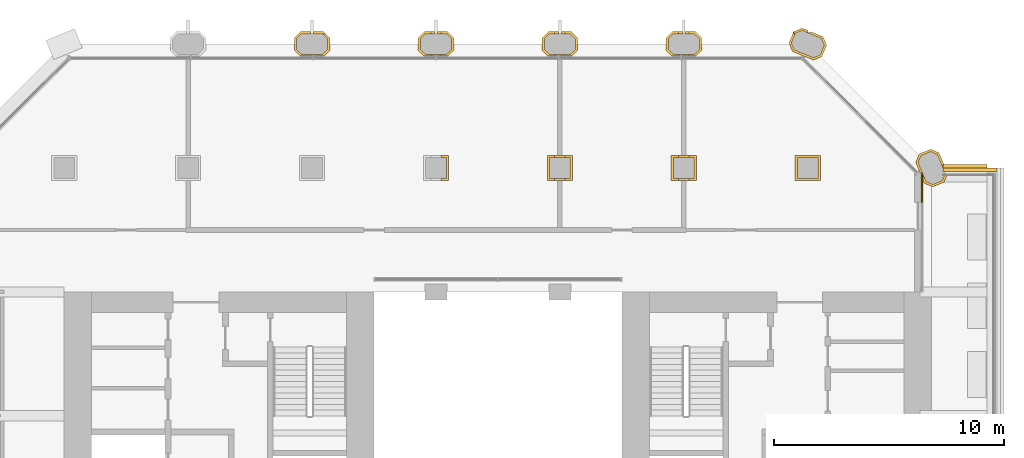
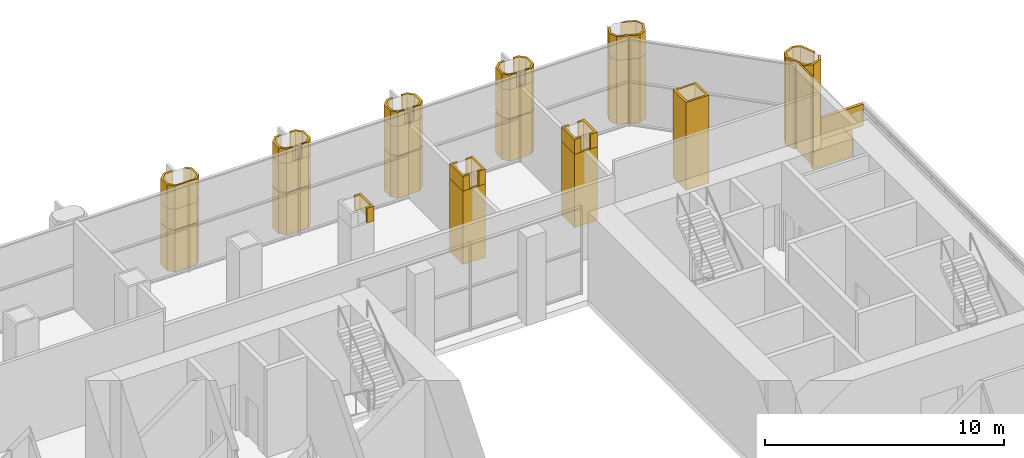
# One storey, part 15 of 15: 29 coverings.
"""IFC4 building model written with IfcOpenShell, lengths in metres."""

from ifc_helpers import new_model, si_unit, direction, frame, frame_2d, origin, place, context, subcontext, project, spatial, polyline, rectangle, outline, extrude, material, layer, layer_set, type_object, element, save


model = new_model("IFC4")

# Units and contexts
model_context = context("Model", 3, precision=1e-05, world=origin(), true_north=direction((0.0, 1.0)))
body_context = subcontext(model_context, "Body", "Model", "MODEL_VIEW")
ifc_project = project(units=[si_unit("LENGTHUNIT", "METRE"), si_unit("AREAUNIT", "SQUARE_METRE"), si_unit("VOLUMEUNIT", "CUBIC_METRE"), si_unit("PLANEANGLEUNIT", "RADIAN"), si_unit("MASSUNIT", "GRAM", prefix="KILO")], contexts=[model_context])

# Site, building, storey
site_placement = place(None, origin())
site = spatial("IfcSite", under=ifc_project, at=site_placement, CompositionType="ELEMENT")
building_placement = place(site_placement, origin())
building = spatial("IfcBuilding", under=site, at=building_placement, Name="Tabaq Tower and Sports Hall", CompositionType="ELEMENT")
storey_placement = place(building_placement, frame((0.0, 0.0, 143.199951171875)))
storey = spatial("IfcBuildingStorey", under=building, at=storey_placement, Name="L33", CompositionType="ELEMENT", Elevation=143.199951171875)

# Coverings
ifc_material_1 = material(Name="Precast concrete C60/75", Category="concrete")
ifc_layer_1 = layer(ifc_material_1, 0.10009765625)
ifc_layer_set_1 = layer_set([ifc_layer_1], Name="Column cladding 100")
covering_type_1 = type_object("IfcCoveringType", Name="Column cladding 100", PredefinedType="CLADDING", material=ifc_layer_set_1)
covering_1_placement = place(storey_placement, frame((0.0, 0.0, 0.10009765625)))
element("IfcCovering", 1, at=covering_1_placement, inside=storey, type_object=covering_type_1, Name="Column cladding L33 PC-4I-S1", PredefinedType="CLADDING", context=body_context, shape_type="SweptSolid", body=[
    extrude(outline(polyline([(15.42529296875, 43.46630859375), (15.708740234375, 43.749755859375), (16.1396484375, 43.749755859375), (16.1396484375, 43.650390625), (15.749755859375, 43.650390625), (15.524658203125, 43.425048828125), (15.524658203125, 42.974853515625), (15.749755859375, 42.749755859375), (16.650146484375, 42.749755859375), (16.875244140625, 42.974853515625), (16.875244140625, 43.425048828125), (16.650146484375, 43.650390625), (16.26025390625, 43.650390625), (16.26025390625, 43.749755859375), (16.69140625, 43.749755859375), (16.974609375, 43.46630859375), (16.974609375, 42.93359375), (16.731201171875, 42.690185546875), (15.668701171875, 42.690185546875), (15.42529296875, 42.93359375), (15.42529296875, 43.46630859375)])), origin(), (0.0, 0.0, 1.0), 2.119873046875),
])
covering_2_placement = place(storey_placement, frame((0.0, 0.0, 2.280029296875)))
element("IfcCovering", 2, at=covering_2_placement, inside=storey, type_object=covering_type_1, Name="Column cladding L33 PC-4I-S1 2", PredefinedType="CLADDING", context=body_context, shape_type="SweptSolid", body=[
    extrude(outline(polyline([(15.42529296875, 43.46630859375), (15.708740234375, 43.749755859375), (16.1396484375, 43.749755859375), (16.1396484375, 43.650390625), (15.749755859375, 43.650390625), (15.524658203125, 43.425048828125), (15.524658203125, 42.974853515625), (15.749755859375, 42.749755859375), (16.650146484375, 42.749755859375), (16.875244140625, 42.974853515625), (16.875244140625, 43.425048828125), (16.650146484375, 43.650390625), (16.26025390625, 43.650390625), (16.26025390625, 43.749755859375), (16.69140625, 43.749755859375), (16.974609375, 43.46630859375), (16.974609375, 42.93359375), (16.731201171875, 42.690185546875), (15.668701171875, 42.690185546875), (15.42529296875, 42.93359375), (15.42529296875, 43.46630859375)])), origin(), (0.0, 0.0, 1.0), 1.02001953125),
])
covering_3_placement = place(storey_placement, frame((0.0, 0.0, 3.300048828125)))
element("IfcCovering", 3, at=covering_3_placement, inside=storey, type_object=covering_type_1, Name="Column cladding L33 PC-4I-S1 head", PredefinedType="CLADDING", context=body_context, shape_type="SweptSolid", body=[
    extrude(outline(polyline([(15.708740234375, 43.749755859375), (16.1396484375, 43.749755859375), (16.1396484375, 43.650390625), (15.749755859375, 43.650390625), (15.524658203125, 43.425048828125), (15.524658203125, 42.974853515625), (15.749755859375, 42.749755859375), (16.650146484375, 42.749755859375), (16.875244140625, 42.974853515625), (16.875244140625, 43.425048828125), (16.650634765625, 43.649658203125), (16.791259765625, 43.649658203125), (16.974609375, 43.46630859375), (16.974609375, 42.93359375), (16.731201171875, 42.690185546875), (15.668701171875, 42.690185546875), (15.42529296875, 42.93359375), (15.42529296875, 43.46630859375), (15.708740234375, 43.749755859375)])), origin(), (0.0, 0.0, 1.0), 1.199951171875),
])
covering_4_placement = place(storey_placement, frame((0.0, 0.0, 3.75)))
element("IfcCovering", 4, at=covering_4_placement, inside=storey, type_object=covering_type_1, Name="Column cladding L33 CC-5H-S1 head 2", PredefinedType="CLADDING", context=body_context, shape_type="SweptSolid", body=[
    extrude(outline(polyline([(22.149658203125, 38.349609375), (22.149658203125, 37.250244140625), (21.8251953125, 37.250244140625), (21.8251953125, 37.349609375), (22.05029296875, 37.349609375), (22.05029296875, 38.250244140625), (21.8251953125, 38.250244140625), (21.8251953125, 38.349609375), (22.149658203125, 38.349609375)])), origin(), (0.0, 0.0, 1.0), 0.75),
])
covering_5_placement = place(storey_placement, frame((0.0, 0.0, 0.10009765625)))
element("IfcCovering", 5, at=covering_5_placement, inside=storey, type_object=covering_type_1, Name="Column cladding L33 PC-5I-S1", PredefinedType="CLADDING", context=body_context, shape_type="SweptSolid", body=[
    extrude(outline(polyline([(20.8251953125, 43.46630859375), (21.108642578125, 43.749755859375), (21.539794921875, 43.749755859375), (21.539794921875, 43.650390625), (21.14990234375, 43.650390625), (20.9248046875, 43.425048828125), (20.9248046875, 42.974853515625), (21.14990234375, 42.749755859375), (22.050048828125, 42.749755859375), (22.275390625, 42.974853515625), (22.275390625, 43.425048828125), (22.050048828125, 43.650390625), (21.660400390625, 43.650390625), (21.660400390625, 43.749755859375), (22.09130859375, 43.749755859375), (22.374755859375, 43.46630859375), (22.374755859375, 42.93359375), (22.13134765625, 42.690185546875), (21.068603515625, 42.690185546875), (20.8251953125, 42.93359375), (20.8251953125, 43.46630859375)])), origin(), (0.0, 0.0, 1.0), 2.119873046875),
])
covering_6_placement = place(storey_placement, frame((0.0, 0.0, 2.280029296875)))
element("IfcCovering", 6, at=covering_6_placement, inside=storey, type_object=covering_type_1, Name="Column cladding L33 PC-5I-S1 2", PredefinedType="CLADDING", context=body_context, shape_type="SweptSolid", body=[
    extrude(outline(polyline([(20.8251953125, 43.46630859375), (21.108642578125, 43.749755859375), (21.539794921875, 43.749755859375), (21.539794921875, 43.650390625), (21.14990234375, 43.650390625), (20.9248046875, 43.425048828125), (20.9248046875, 42.974853515625), (21.14990234375, 42.749755859375), (22.050048828125, 42.749755859375), (22.275390625, 42.974853515625), (22.275390625, 43.425048828125), (22.050048828125, 43.650390625), (21.660400390625, 43.650390625), (21.660400390625, 43.749755859375), (22.09130859375, 43.749755859375), (22.374755859375, 43.46630859375), (22.374755859375, 42.93359375), (22.13134765625, 42.690185546875), (21.068603515625, 42.690185546875), (20.8251953125, 42.93359375), (20.8251953125, 43.46630859375)])), origin(), (0.0, 0.0, 1.0), 1.469970703125),
])
covering_7_placement = place(storey_placement, frame((0.0, 0.0, 3.75)))
element("IfcCovering", 7, at=covering_7_placement, inside=storey, type_object=covering_type_1, Name="Column cladding L33 PC-5I-S1 head", PredefinedType="CLADDING", context=body_context, shape_type="SweptSolid", body=[
    extrude(outline(polyline([(21.108642578125, 43.749755859375), (21.374755859375, 43.749755859375), (21.374755859375, 43.650390625), (21.14990234375, 43.650390625), (20.9248046875, 43.425048828125), (20.9248046875, 42.974853515625), (21.14990234375, 42.749755859375), (21.374755859375, 42.749755859375), (21.374755859375, 42.690185546875), (21.068603515625, 42.690185546875), (20.8251953125, 42.93359375), (20.8251953125, 43.46630859375), (21.108642578125, 43.749755859375)])), origin(), (0.0, 0.0, 1.0), 0.75),
])
covering_8_placement = place(storey_placement, frame((0.0, 0.0, 3.75)))
element("IfcCovering", 8, at=covering_8_placement, inside=storey, type_object=covering_type_1, Name="Column cladding L33 PC-5I-S1 head 2", PredefinedType="CLADDING", context=body_context, shape_type="SweptSolid", body=[
    extrude(outline(polyline([(22.050048828125, 42.749755859375), (22.275390625, 42.974853515625), (22.275390625, 43.425048828125), (22.050048828125, 43.650390625), (21.8251953125, 43.650390625), (21.8251953125, 43.749755859375), (22.09130859375, 43.749755859375), (22.374755859375, 43.46630859375), (22.374755859375, 42.93359375), (22.13134765625, 42.690185546875), (21.8251953125, 42.690185546875), (21.8251953125, 42.749755859375), (22.050048828125, 42.749755859375)])), origin(), (0.0, 0.0, 1.0), 0.75),
])
covering_9_placement = place(storey_placement, origin())
element("IfcCovering", 9, at=covering_9_placement, inside=storey, type_object=covering_type_1, Name="Column cladding L33 CC-6H-S1", PredefinedType="CLADDING", context=body_context, shape_type="SweptSolid", body=[
    extrude(outline(polyline([(26.4501953125, 38.349609375), (27.5498046875, 38.349609375), (27.5498046875, 37.250244140625), (26.4501953125, 37.250244140625), (26.4501953125, 38.349609375)]), holes=[polyline([(27.4501953125, 37.349609375), (27.4501953125, 38.250244140625), (26.5498046875, 38.250244140625), (26.5498046875, 37.349609375), (27.4501953125, 37.349609375)])]), origin(), (0.0, 0.0, 1.0), 3.75),
])
covering_10_placement = place(storey_placement, frame((0.0, 0.0, 3.75)))
element("IfcCovering", 10, at=covering_10_placement, inside=storey, type_object=covering_type_1, Name="Column cladding L33 CC-6H-S1 head", PredefinedType="CLADDING", context=body_context, shape_type="SweptSolid", body=[
    extrude(outline(polyline([(26.774658203125, 38.349609375), (26.774658203125, 38.250244140625), (26.5498046875, 38.250244140625), (26.5498046875, 37.349609375), (26.774658203125, 37.349609375), (26.774658203125, 37.250244140625), (26.4501953125, 37.250244140625), (26.4501953125, 38.349609375), (26.774658203125, 38.349609375)])), origin(), (0.0, 0.0, 1.0), 0.75),
])
covering_11_placement = place(storey_placement, frame((0.0, 0.0, 3.75)))
element("IfcCovering", 11, at=covering_11_placement, inside=storey, type_object=covering_type_1, Name="Column cladding L33 CC-6H-S1 head 2", PredefinedType="CLADDING", context=body_context, shape_type="SweptSolid", body=[
    extrude(outline(polyline([(27.5498046875, 38.349609375), (27.5498046875, 37.250244140625), (27.225341796875, 37.250244140625), (27.225341796875, 37.349609375), (27.4501953125, 37.349609375), (27.4501953125, 38.250244140625), (27.225341796875, 38.250244140625), (27.225341796875, 38.349609375), (27.5498046875, 38.349609375)])), origin(), (0.0, 0.0, 1.0), 0.75),
])
covering_12_placement = place(storey_placement, frame((0.0, 0.0, 0.10009765625)))
element("IfcCovering", 12, at=covering_12_placement, inside=storey, type_object=covering_type_1, Name="Column cladding L33 PC-6I-S1", PredefinedType="CLADDING", context=body_context, shape_type="SweptSolid", body=[
    extrude(outline(polyline([(26.225341796875, 43.46630859375), (26.5087890625, 43.749755859375), (26.939697265625, 43.749755859375), (26.939697265625, 43.650390625), (26.5498046875, 43.650390625), (26.32470703125, 43.425048828125), (26.32470703125, 42.974853515625), (26.5498046875, 42.749755859375), (27.4501953125, 42.749755859375), (27.67529296875, 42.974853515625), (27.67529296875, 43.425048828125), (27.4501953125, 43.650390625), (27.060302734375, 43.650390625), (27.060302734375, 43.749755859375), (27.4912109375, 43.749755859375), (27.774658203125, 43.46630859375), (27.774658203125, 42.93359375), (27.53125, 42.690185546875), (26.46875, 42.690185546875), (26.225341796875, 42.93359375), (26.225341796875, 43.46630859375)])), origin(), (0.0, 0.0, 1.0), 2.119873046875),
])
covering_13_placement = place(storey_placement, frame((0.0, 0.0, 2.280029296875)))
element("IfcCovering", 13, at=covering_13_placement, inside=storey, type_object=covering_type_1, Name="Column cladding L33 PC-6I-S1 2", PredefinedType="CLADDING", context=body_context, shape_type="SweptSolid", body=[
    extrude(outline(polyline([(26.225341796875, 43.46630859375), (26.5087890625, 43.749755859375), (26.939697265625, 43.749755859375), (26.939697265625, 43.650390625), (26.5498046875, 43.650390625), (26.32470703125, 43.425048828125), (26.32470703125, 42.974853515625), (26.5498046875, 42.749755859375), (27.4501953125, 42.749755859375), (27.67529296875, 42.974853515625), (27.67529296875, 43.425048828125), (27.4501953125, 43.650390625), (27.060302734375, 43.650390625), (27.060302734375, 43.749755859375), (27.4912109375, 43.749755859375), (27.774658203125, 43.46630859375), (27.774658203125, 42.93359375), (27.53125, 42.690185546875), (26.46875, 42.690185546875), (26.225341796875, 42.93359375), (26.225341796875, 43.46630859375)])), origin(), (0.0, 0.0, 1.0), 1.469970703125),
])
covering_14_placement = place(storey_placement, frame((0.0, 0.0, 3.75)))
element("IfcCovering", 14, at=covering_14_placement, inside=storey, type_object=covering_type_1, Name="Column cladding L33 PC-6I-S1 head", PredefinedType="CLADDING", context=body_context, shape_type="SweptSolid", body=[
    extrude(outline(polyline([(26.5087890625, 43.749755859375), (26.774658203125, 43.749755859375), (26.774658203125, 43.650390625), (26.5498046875, 43.650390625), (26.32470703125, 43.425048828125), (26.32470703125, 42.974853515625), (26.5498046875, 42.749755859375), (26.774658203125, 42.749755859375), (26.774658203125, 42.690185546875), (26.46875, 42.690185546875), (26.225341796875, 42.93359375), (26.225341796875, 43.46630859375), (26.5087890625, 43.749755859375)])), origin(), (0.0, 0.0, 1.0), 0.75),
])
covering_15_placement = place(storey_placement, frame((0.0, 0.0, 3.75)))
element("IfcCovering", 15, at=covering_15_placement, inside=storey, type_object=covering_type_1, Name="Column cladding L33 PC-6I-S1 head 2", PredefinedType="CLADDING", context=body_context, shape_type="SweptSolid", body=[
    extrude(outline(polyline([(27.4501953125, 42.749755859375), (27.67529296875, 42.974853515625), (27.67529296875, 43.425048828125), (27.4501953125, 43.650390625), (27.225341796875, 43.650390625), (27.225341796875, 43.749755859375), (27.4912109375, 43.749755859375), (27.774658203125, 43.46630859375), (27.774658203125, 42.93359375), (27.53125, 42.690185546875), (27.225341796875, 42.690185546875), (27.225341796875, 42.749755859375), (27.4501953125, 42.749755859375)])), origin(), (0.0, 0.0, 1.0), 0.75),
])
covering_16_placement = place(storey_placement, origin())
element("IfcCovering", 16, at=covering_16_placement, inside=storey, type_object=covering_type_1, Name="Column cladding L33 CC-7H-S1", PredefinedType="CLADDING", context=body_context, shape_type="SweptSolid", body=[
    extrude(outline(polyline([(31.850341796875, 38.349609375), (32.94970703125, 38.349609375), (32.94970703125, 37.250244140625), (31.850341796875, 37.250244140625), (31.850341796875, 38.349609375)]), holes=[polyline([(32.850341796875, 37.349609375), (32.850341796875, 38.250244140625), (31.94970703125, 38.250244140625), (31.94970703125, 37.349609375), (32.850341796875, 37.349609375)])]), origin(), (0.0, 0.0, 1.0), 3.75),
])
covering_17_placement = place(storey_placement, frame((0.0, 0.0, 3.75)))
element("IfcCovering", 17, at=covering_17_placement, inside=storey, type_object=covering_type_1, Name="Column cladding L33 CC-7H-S1 head", PredefinedType="CLADDING", context=body_context, shape_type="SweptSolid", body=[
    extrude(outline(polyline([(32.94970703125, 38.349609375), (32.94970703125, 37.250244140625), (32.625244140625, 37.250244140625), (32.625244140625, 37.349609375), (32.850341796875, 37.349609375), (32.850341796875, 38.250244140625), (32.625244140625, 38.250244140625), (32.625244140625, 38.349609375), (32.94970703125, 38.349609375)])), origin(), (0.0, 0.0, 1.0), 0.75),
])
covering_18_placement = place(storey_placement, frame((0.0, 0.0, 3.75)))
element("IfcCovering", 18, at=covering_18_placement, inside=storey, type_object=covering_type_1, Name="Column cladding L33 CC-7H-S1 head 2", PredefinedType="CLADDING", context=body_context, shape_type="SweptSolid", body=[
    extrude(outline(polyline([(32.1748046875, 38.349609375), (32.1748046875, 38.250244140625), (31.94970703125, 38.250244140625), (31.94970703125, 37.349609375), (32.1748046875, 37.349609375), (32.1748046875, 37.250244140625), (31.850341796875, 37.250244140625), (31.850341796875, 38.349609375), (32.1748046875, 38.349609375)])), origin(), (0.0, 0.0, 1.0), 0.75),
])
covering_19_placement = place(storey_placement, frame((0.0, 0.0, 0.10009765625)))
element("IfcCovering", 19, at=covering_19_placement, inside=storey, type_object=covering_type_1, Name="Column cladding L33 PC-7I-S1", PredefinedType="CLADDING", context=body_context, shape_type="SweptSolid", body=[
    extrude(outline(polyline([(31.625244140625, 43.46630859375), (31.90869140625, 43.749755859375), (32.339599609375, 43.749755859375), (32.339599609375, 43.650390625), (31.949951171875, 43.650390625), (31.724609375, 43.425048828125), (31.724609375, 42.974853515625), (31.949951171875, 42.749755859375), (32.85009765625, 42.749755859375), (33.0751953125, 42.974853515625), (33.0751953125, 43.425048828125), (32.85009765625, 43.650390625), (32.460205078125, 43.650390625), (32.460205078125, 43.749755859375), (32.891357421875, 43.749755859375), (33.1748046875, 43.46630859375), (33.1748046875, 42.93359375), (32.931396484375, 42.690185546875), (31.86865234375, 42.690185546875), (31.625244140625, 42.93359375), (31.625244140625, 43.46630859375)])), origin(), (0.0, 0.0, 1.0), 2.119873046875),
])
covering_20_placement = place(storey_placement, frame((0.0, 0.0, 2.280029296875)))
element("IfcCovering", 20, at=covering_20_placement, inside=storey, type_object=covering_type_1, Name="Column cladding L33 PC-7I-S1 2", PredefinedType="CLADDING", context=body_context, shape_type="SweptSolid", body=[
    extrude(outline(polyline([(31.625244140625, 43.46630859375), (31.90869140625, 43.749755859375), (32.339599609375, 43.749755859375), (32.339599609375, 43.650390625), (31.949951171875, 43.650390625), (31.724609375, 43.425048828125), (31.724609375, 42.974853515625), (31.949951171875, 42.749755859375), (32.85009765625, 42.749755859375), (33.0751953125, 42.974853515625), (33.0751953125, 43.425048828125), (32.85009765625, 43.650390625), (32.460205078125, 43.650390625), (32.460205078125, 43.749755859375), (32.891357421875, 43.749755859375), (33.1748046875, 43.46630859375), (33.1748046875, 42.93359375), (32.931396484375, 42.690185546875), (31.86865234375, 42.690185546875), (31.625244140625, 42.93359375), (31.625244140625, 43.46630859375)])), origin(), (0.0, 0.0, 1.0), 1.469970703125),
])
covering_21_placement = place(storey_placement, frame((0.0, 0.0, 3.75)))
element("IfcCovering", 21, at=covering_21_placement, inside=storey, type_object=covering_type_1, Name="Column cladding L33 PC-7I-S1 head", PredefinedType="CLADDING", context=body_context, shape_type="SweptSolid", body=[
    extrude(outline(polyline([(31.90869140625, 43.749755859375), (32.1748046875, 43.749755859375), (32.1748046875, 43.650390625), (31.949951171875, 43.650390625), (31.724609375, 43.425048828125), (31.724609375, 42.974853515625), (31.949951171875, 42.749755859375), (32.1748046875, 42.749755859375), (32.1748046875, 42.690185546875), (31.86865234375, 42.690185546875), (31.625244140625, 42.93359375), (31.625244140625, 43.46630859375), (31.90869140625, 43.749755859375)])), origin(), (0.0, 0.0, 1.0), 0.75),
])
covering_22_placement = place(storey_placement, frame((0.0, 0.0, 3.75)))
element("IfcCovering", 22, at=covering_22_placement, inside=storey, type_object=covering_type_1, Name="Column cladding L33 PC-7I-S1 head 2", PredefinedType="CLADDING", context=body_context, shape_type="SweptSolid", body=[
    extrude(outline(polyline([(32.85009765625, 42.749755859375), (33.0751953125, 42.974853515625), (33.0751953125, 43.425048828125), (32.85009765625, 43.650390625), (32.625244140625, 43.650390625), (32.625244140625, 43.749755859375), (32.891357421875, 43.749755859375), (33.1748046875, 43.46630859375), (33.1748046875, 42.93359375), (32.931396484375, 42.690185546875), (32.625244140625, 42.690185546875), (32.625244140625, 42.749755859375), (32.85009765625, 42.749755859375)])), origin(), (0.0, 0.0, 1.0), 0.75),
])
covering_23_placement = place(storey_placement, origin())
element("IfcCovering", 23, at=covering_23_placement, inside=storey, type_object=covering_type_1, Name="Column cladding L33 CC-8H-S1", PredefinedType="CLADDING", context=body_context, shape_type="SweptSolid", body=[
    extrude(outline(polyline([(37.250244140625, 38.349609375), (38.349609375, 38.349609375), (38.349609375, 37.250244140625), (37.250244140625, 37.250244140625), (37.250244140625, 38.349609375)]), holes=[polyline([(38.250244140625, 37.349609375), (38.250244140625, 38.250244140625), (37.349609375, 38.250244140625), (37.349609375, 37.349609375), (38.250244140625, 37.349609375)])]), origin(), (0.0, 0.0, 1.0), 4.5),
])
covering_24_placement = place(storey_placement, origin())
element("IfcCovering", 24, at=covering_24_placement, inside=storey, type_object=covering_type_1, Name="Column cladding L33 PC-8I-S1", PredefinedType="CLADDING", context=body_context, shape_type="SweptSolid", body=[
    extrude(outline(polyline([(38.413818359375, 42.657470703125), (38.04345703125, 42.504150390625), (37.614013671875, 42.68212890625), (37.614013671875, 42.690185546875), (37.593994140625, 42.690185546875), (37.1357421875, 42.880126953125), (36.982421875, 43.25048828125), (37.186279296875, 43.742431640625), (37.556396484375, 43.895751953125), (37.7998046875, 43.795166015625), (37.7998046875, 43.696533203125), (37.9501953125, 43.696533203125), (37.9521484375, 43.73193359375), (38.46435546875, 43.519775390625), (38.61767578125, 43.149658203125), (38.413818359375, 42.657470703125)]), holes=[polyline([(37.26220703125, 43.66650390625), (37.08984375, 43.25048828125), (37.2119140625, 42.956298828125), (38.04345703125, 42.61181640625), (38.337646484375, 42.733642578125), (38.510009765625, 43.149658203125), (38.38818359375, 43.44384765625), (37.556396484375, 43.788330078125), (37.26220703125, 43.66650390625)])]), origin(), (0.0, 0.0, 1.0), 3.300048828125),
])
covering_25_placement = place(storey_placement, frame((0.0, 0.0, 3.300048828125)))
element("IfcCovering", 25, at=covering_25_placement, inside=storey, type_object=covering_type_1, Name="Column cladding L33 PC-8I-S1 head", PredefinedType="CLADDING", context=body_context, shape_type="SweptSolid", body=[
    extrude(outline(polyline([(38.04345703125, 42.504150390625), (37.614013671875, 42.68212890625), (37.614013671875, 42.690185546875), (37.593994140625, 42.690185546875), (37.1357421875, 42.880126953125), (36.982421875, 43.25048828125), (37.186279296875, 43.742431640625), (37.19970703125, 43.748046875), (37.19970703125, 43.649658203125), (37.25537109375, 43.649658203125), (37.08984375, 43.25048828125), (37.2119140625, 42.956298828125), (38.04345703125, 42.61181640625), (38.337646484375, 42.733642578125), (38.510009765625, 43.149658203125), (38.38818359375, 43.44384765625), (37.80029296875, 43.687255859375), (37.80029296875, 43.696533203125), (37.9501953125, 43.696533203125), (37.9521484375, 43.73193359375), (38.46435546875, 43.519775390625), (38.61767578125, 43.149658203125), (38.413818359375, 42.657470703125), (38.04345703125, 42.504150390625)])), origin(), (0.0, 0.0, 1.0), 1.199951171875),
])
covering_26_placement = place(storey_placement, origin())
element("IfcCovering", 26, at=covering_26_placement, inside=storey, type_object=covering_type_1, Name="Column cladding L33 PC-9H-S1", PredefinedType="CLADDING", context=body_context, shape_type="SweptSolid", body=[
    extrude(outline(polyline([(43.25048828125, 36.982421875), (42.880126953125, 37.1357421875), (42.810302734375, 37.304443359375), (42.810302734375, 37.55712890625), (42.750244140625, 37.55712890625), (42.750244140625, 37.614013671875), (42.68212890625, 37.614013671875), (42.504150390625, 38.04345703125), (42.657470703125, 38.413818359375), (43.149658203125, 38.61767578125), (43.519775390625, 38.46435546875), (43.794921875, 37.80029296875), (43.69970703125, 37.80029296875), (43.69970703125, 37.770263671875), (43.44384765625, 38.38818359375), (43.149658203125, 38.510009765625), (42.733642578125, 38.337646484375), (42.61181640625, 38.04345703125), (42.956298828125, 37.2119140625), (43.25048828125, 37.08984375), (43.66650390625, 37.26220703125), (43.7607421875, 37.48974609375), (43.8681640625, 37.48974609375), (43.742431640625, 37.186279296875), (43.25048828125, 36.982421875)])), origin(), (0.0, 0.0, 1.0), 4.5),
])
ifc_material_2 = material(Name="Precast concrete C60/75", Category="concrete")
ifc_layer_2 = layer(ifc_material_2, 0.14990234375)
ifc_layer_set_2 = layer_set([ifc_layer_2], Name="Tray fascia 1200")
covering_type_2 = type_object("IfcCoveringType", Name="Tray fascia 1200", PredefinedType="CLADDING", material=ifc_layer_set_2)
covering_27_placement = place(storey_placement, frame((43.69677734375, 37.875, -1.5), z_axis=(0.0, 0.0, 1.0), x_axis=(1.0, 0.0, 0.0)))
element("IfcCovering", 27, at=covering_27_placement, inside=storey, type_object=covering_type_2, Name="Tray fascia L33 EBT", PredefinedType="CLADDING", context=body_context, shape_type="SweptSolid", body=[
    extrude(rectangle(XDim=1.9033203125, YDim=0.14990234375, at=frame_2d((0.95166015625, 0.0))), origin(), (0.0, 0.0, 1.0), 1.5),
])
ifc_material_3 = material(Name="Precast concrete C60/75", Category="concrete")
ifc_layer_3 = layer(ifc_material_3, 0.14990234375)
ifc_layer_set_3 = layer_set([ifc_layer_3], Name="Tray upstand cladding 1100")
covering_type_3 = type_object("IfcCoveringType", Name="Tray upstand cladding 1100", PredefinedType="CLADDING", material=ifc_layer_set_3)
covering_28_placement = place(storey_placement, frame((43.699951171875, 37.72509765625, 0.0), z_axis=(0.0, 0.0, 1.0), x_axis=(1.0, 0.0, 0.0)))
element("IfcCovering", 28, at=covering_28_placement, inside=storey, type_object=covering_type_3, Name="Tray upstand cladding L33", PredefinedType="CLADDING", context=body_context, shape_type="SweptSolid", body=[
    extrude(rectangle(XDim=2.35009765625, YDim=0.14990234375, at=frame_2d((1.175048828125, 0.0))), origin(), (0.0, 0.0, 1.0), 1.10009765625),
])
ifc_material_4 = material(Name="Precast concrete C60/75", Category="concrete")
ifc_layer_4 = layer(ifc_material_4, 0.06005859375)
ifc_layer_set_4 = layer_set([ifc_layer_4], Name="White precast cladding panel 60 C60/75")
covering_type_4 = type_object("IfcCoveringType", Name="White precast cladding panel 60 C60/75", PredefinedType="CLADDING", material=ifc_layer_set_4)
covering_29_placement = place(storey_placement, frame((42.780029296875, 36.31005859375, 0.0), z_axis=(0.0, 0.0, 1.0), x_axis=(0.0, 1.0, 0.0)))
element("IfcCovering", 29, at=covering_29_placement, inside=storey, type_object=covering_type_4, Name="White precast cladding panel L33 infill01-1-0 3", PredefinedType="CLADDING", context=body_context, shape_type="SweptSolid", body=[
    extrude(rectangle(XDim=1.246826171875, YDim=0.06005859375, at=frame_2d((0.62353515625, 0.0))), origin(), (0.0, 0.0, 1.0), 4.5),
])

save(model, "model.ifc")
